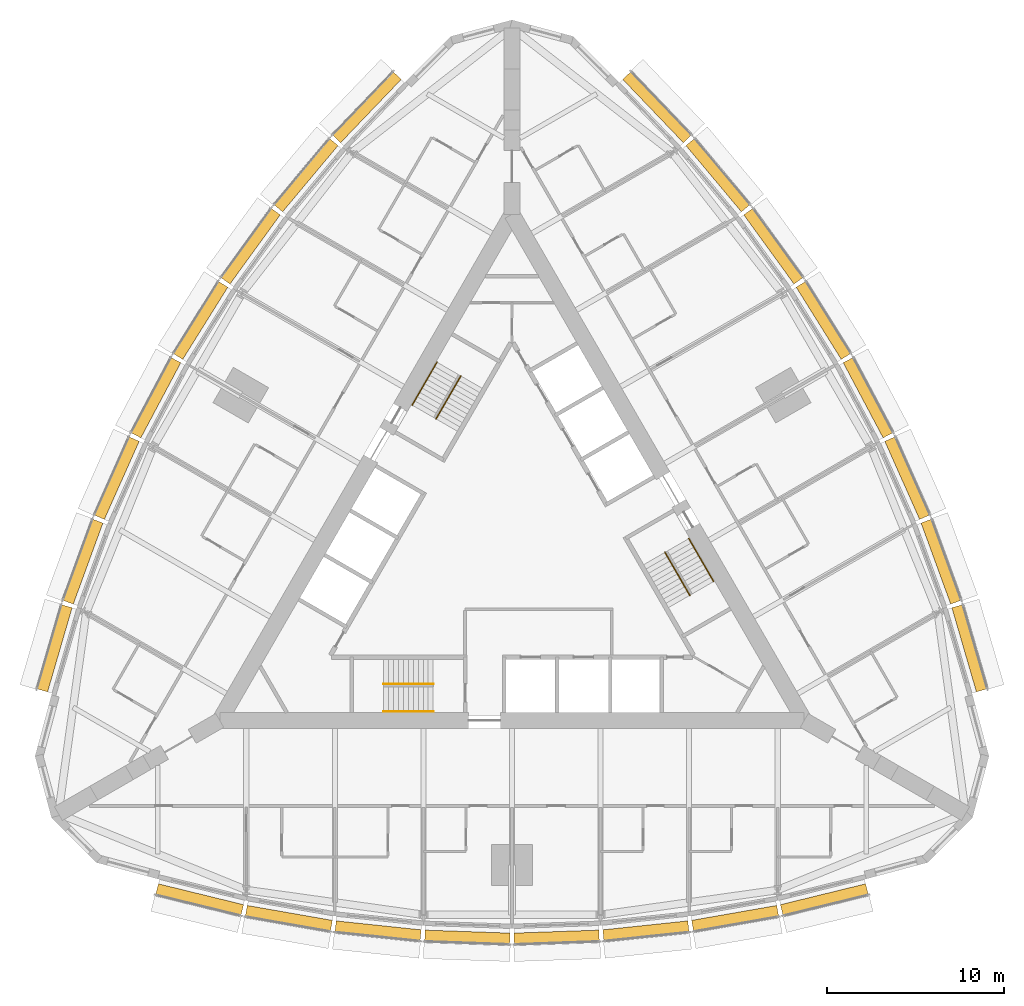
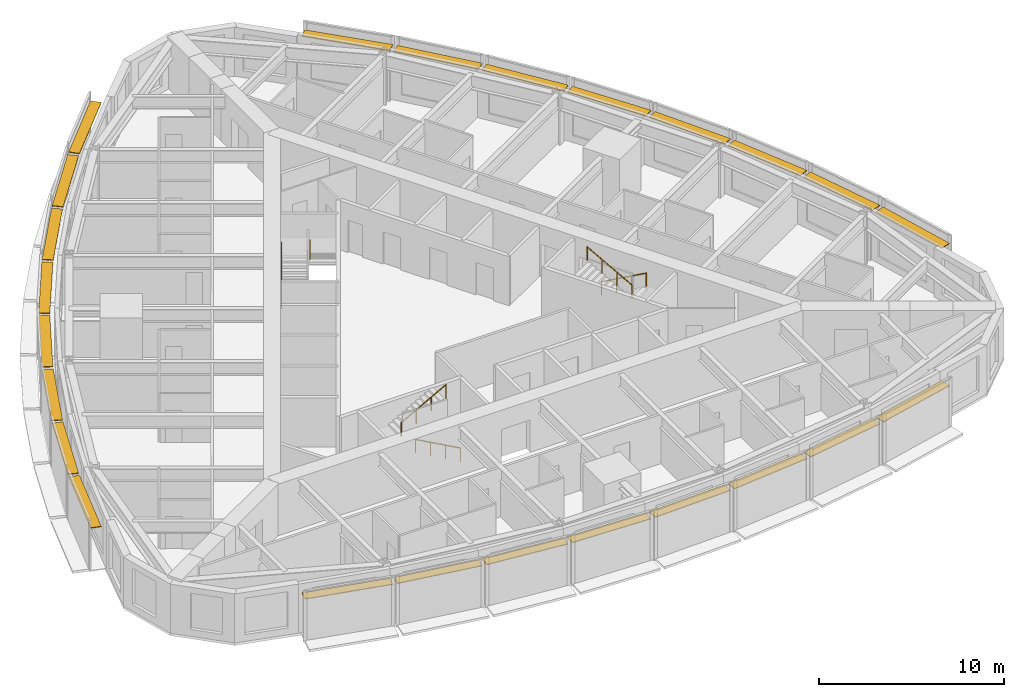
# One storey, part 14 of 14: 24 shading devices, 6 railings.
"""IFC4 building model written with IfcOpenShell, lengths in metres."""

from ifc_helpers import new_model, si_unit, direction, frame, origin, origin_2d, place, context, subcontext, project, spatial, rectangle, circle, extrude, material, type_object, element, save


model = new_model("IFC4")

# Units and contexts
model_context = context("Model", 3, precision=1e-05, world=origin(), true_north=direction((0.0, 1.0)))
body_context = subcontext(model_context, "Body", "Model", "MODEL_VIEW")
ifc_project = project(units=[si_unit("LENGTHUNIT", "METRE"), si_unit("AREAUNIT", "SQUARE_METRE"), si_unit("VOLUMEUNIT", "CUBIC_METRE"), si_unit("PLANEANGLEUNIT", "RADIAN"), si_unit("MASSUNIT", "GRAM", prefix="KILO")], contexts=[model_context])

# Site, building, storey
site_placement = place(None, origin())
site = spatial("IfcSite", under=ifc_project, at=site_placement, CompositionType="ELEMENT")
building_placement = place(site_placement, origin())
building = spatial("IfcBuilding", under=site, at=building_placement, Name="Trikona Tower", CompositionType="ELEMENT")
storey_placement = place(building_placement, frame((0.0, 0.0, 148.699951171875)))
storey = spatial("IfcBuildingStorey", under=building, at=storey_placement, Name="L39", CompositionType="ELEMENT", Elevation=148.699951171875)

# Shading devices
ifc_material_1 = material(Name="Aluminium louvre blade, pale anodised", Category="aluminium")
shading_device_type = type_object("IfcShadingDeviceType", Name="Cavity louvre 600", PredefinedType="USERDEFINED", material=ifc_material_1)
shading_device_1_placement = place(storey_placement, frame((-17.63330078125, -19.631591796875, 2.77490234375), z_axis=(0.0, 0.0, 1.0), x_axis=(0.971274411564, -0.237962218516, 0.0)))
element("IfcShadingDevice", 1, at=shading_device_1_placement, inside=storey, type_object=shading_device_type, Name="Cavity louvre L39-00", ObjectType="LOUVRE", PredefinedType="USERDEFINED", context=body_context, shape_type="SweptSolid", body=[
    extrude(rectangle(XDim=4.947998046875, YDim=0.60009765625, at=origin_2d()), origin(), (0.0, 0.0, 1.0), 0.050048828125),
])
shading_device_2_placement = place(storey_placement, frame((-12.596435546875, -20.689208984375, 2.77490234375), z_axis=(0.0, 0.0, 1.0), x_axis=(0.985030604067, -0.172379549401, 0.0)))
element("IfcShadingDevice", 2, at=shading_device_2_placement, inside=storey, type_object=shading_device_type, Name="Cavity louvre L39-01", ObjectType="LOUVRE", PredefinedType="USERDEFINED", context=body_context, shape_type="SweptSolid", body=[
    extrude(rectangle(XDim=4.8759765625, YDim=0.60009765625, at=origin_2d()), origin(), (0.0, 0.0, 1.0), 0.050048828125),
])
shading_device_3_placement = place(storey_placement, frame((-7.55859375, -21.39453125, 2.77490234375), z_axis=(0.0, 0.0, 1.0), x_axis=(0.994532653854, -0.104426052392, 0.0)))
element("IfcShadingDevice", 3, at=shading_device_3_placement, inside=storey, type_object=shading_device_type, Name="Cavity louvre L39-02", ObjectType="LOUVRE", PredefinedType="USERDEFINED", context=body_context, shape_type="SweptSolid", body=[
    extrude(rectangle(XDim=4.827392578125, YDim=0.60009765625, at=origin_2d()), origin(), (0.0, 0.0, 1.0), 0.050048828125),
])
for number, where, z_axis, x_axis, name in (
    (4, (-2.51953125, -21.747314453125, 2.77490234375), (0.0, 0.0, 1.0), (0.999388082937, -0.034977988567, 0.0), "Cavity louvre L39-03"),
    (5, (2.51953125, -21.747314453125, 2.77490234375), (0.0, 0.0, 1.0), (0.999388082937, 0.034977988567, 0.0), "Cavity louvre L39-04"),
):
    element("IfcShadingDevice", number, at=place(storey_placement, frame(where, z_axis=z_axis, x_axis=x_axis)), inside=storey, type_object=shading_device_type, Name=name, ObjectType="LOUVRE", PredefinedType="USERDEFINED", context=body_context, shape_type="SweptSolid", body=[
        extrude(rectangle(XDim=4.802978515625, YDim=0.60009765625, at=origin_2d()), origin(), (0.0, 0.0, 1.0), 0.050048828125),
    ])
shading_device_4_placement = place(storey_placement, frame((7.55859375, -21.39453125, 2.77490234375), z_axis=(0.0, 0.0, 1.0), x_axis=(0.994532653854, 0.104426052392, 0.0)))
element("IfcShadingDevice", 6, at=shading_device_4_placement, inside=storey, type_object=shading_device_type, Name="Cavity louvre L39-05", ObjectType="LOUVRE", PredefinedType="USERDEFINED", context=body_context, shape_type="SweptSolid", body=[
    extrude(rectangle(XDim=4.827392578125, YDim=0.60009765625, at=origin_2d()), origin(), (0.0, 0.0, 1.0), 0.050048828125),
])
shading_device_5_placement = place(storey_placement, frame((12.596435546875, -20.689208984375, 2.77490234375), z_axis=(0.0, 0.0, 1.0), x_axis=(0.985030604067, 0.172379549401, 0.0)))
element("IfcShadingDevice", 7, at=shading_device_5_placement, inside=storey, type_object=shading_device_type, Name="Cavity louvre L39-06", ObjectType="LOUVRE", PredefinedType="USERDEFINED", context=body_context, shape_type="SweptSolid", body=[
    extrude(rectangle(XDim=4.8759765625, YDim=0.60009765625, at=origin_2d()), origin(), (0.0, 0.0, 1.0), 0.050048828125),
])
shading_device_6_placement = place(storey_placement, frame((17.63330078125, -19.631591796875, 2.77490234375), z_axis=(0.0, 0.0, 1.0), x_axis=(0.971274411564, 0.237962218516, 0.0)))
element("IfcShadingDevice", 8, at=shading_device_6_placement, inside=storey, type_object=shading_device_type, Name="Cavity louvre L39-07", ObjectType="LOUVRE", PredefinedType="USERDEFINED", context=body_context, shape_type="SweptSolid", body=[
    extrude(rectangle(XDim=4.947998046875, YDim=0.60009765625, at=origin_2d()), origin(), (0.0, 0.0, 1.0), 0.050048828125),
])
shading_device_7_placement = place(storey_placement, frame((25.818115234375, -5.455078125, 2.77490234375), z_axis=(0.0, 0.0, 1.0), x_axis=(-0.279554203664, 0.960129911634, 0.0)))
element("IfcShadingDevice", 9, at=shading_device_7_placement, inside=storey, type_object=shading_device_type, Name="Cavity louvre L39-12", ObjectType="LOUVRE", PredefinedType="USERDEFINED", context=body_context, shape_type="SweptSolid", body=[
    extrude(rectangle(XDim=4.94775390625, YDim=0.60009765625, at=origin_2d()), origin(), (0.0, 0.0, 1.0), 0.050048828125),
])
shading_device_8_placement = place(storey_placement, frame((24.2158203125, -0.564208984375, 2.77490234375), z_axis=(0.0, 0.0, 1.0), x_axis=(-0.343220397324, 0.939254895575, 0.0)))
element("IfcShadingDevice", 10, at=shading_device_8_placement, inside=storey, type_object=shading_device_type, Name="Cavity louvre L39-13", ObjectType="LOUVRE", PredefinedType="USERDEFINED", context=body_context, shape_type="SweptSolid", body=[
    extrude(rectangle(XDim=4.8759765625, YDim=0.60009765625, at=origin_2d()), origin(), (0.0, 0.0, 1.0), 0.050048828125),
])
shading_device_9_placement = place(storey_placement, frame((22.3076171875, 4.151611328125, 2.77490234375), z_axis=(0.0, 0.0, 1.0), x_axis=(-0.406843467615, 0.913497888809, 0.0)))
element("IfcShadingDevice", 11, at=shading_device_9_placement, inside=storey, type_object=shading_device_type, Name="Cavity louvre L39-14", ObjectType="LOUVRE", PredefinedType="USERDEFINED", context=body_context, shape_type="SweptSolid", body=[
    extrude(rectangle(XDim=4.827392578125, YDim=0.60009765625, at=origin_2d()), origin(), (0.0, 0.0, 1.0), 0.050048828125),
])
for number, where, z_axis, x_axis, name in (
    (12, (20.093505859375, 8.691650390625, 2.77490234375), (0.0, 0.0, 1.0), (-0.469397591494, 0.882986920118, 0.0), "Cavity louvre L39-15"),
    (13, (17.573974609375, 13.0556640625, 2.77490234375), (0.0, 0.0, 1.0), (-0.529994748414, 0.848000923734, 0.0), "Cavity louvre L39-16"),
):
    element("IfcShadingDevice", number, at=place(storey_placement, frame(where, z_axis=z_axis, x_axis=x_axis)), inside=storey, type_object=shading_device_type, Name=name, ObjectType="LOUVRE", PredefinedType="USERDEFINED", context=body_context, shape_type="SweptSolid", body=[
        extrude(rectangle(XDim=4.802978515625, YDim=0.60009765625, at=origin_2d()), origin(), (0.0, 0.0, 1.0), 0.050048828125),
    ])
shading_device_10_placement = place(storey_placement, frame((14.7490234375, 17.2431640625, 2.77490234375), z_axis=(0.0, 0.0, 1.0), x_axis=(-0.587686407834, 0.809088799853, 0.0)))
element("IfcShadingDevice", 14, at=shading_device_10_placement, inside=storey, type_object=shading_device_type, Name="Cavity louvre L39-17", ObjectType="LOUVRE", PredefinedType="USERDEFINED", context=body_context, shape_type="SweptSolid", body=[
    extrude(rectangle(XDim=4.827392578125, YDim=0.60009765625, at=origin_2d()), origin(), (0.0, 0.0, 1.0), 0.050048828125),
])
shading_device_11_placement = place(storey_placement, frame((11.619140625, 21.253662109375, 2.77490234375), z_axis=(0.0, 0.0, 1.0), x_axis=(-0.641807063101, 0.766866151133, 0.0)))
element("IfcShadingDevice", 15, at=shading_device_11_placement, inside=storey, type_object=shading_device_type, Name="Cavity louvre L39-18", ObjectType="LOUVRE", PredefinedType="USERDEFINED", context=body_context, shape_type="SweptSolid", body=[
    extrude(rectangle(XDim=4.8759765625, YDim=0.60009765625, at=origin_2d()), origin(), (0.0, 0.0, 1.0), 0.050048828125),
])
for number, where, z_axis, x_axis, name in (
    (16, (8.184814453125, 25.086669921875, 2.77490234375), (0.0, 0.0, 1.0), (-0.691723573819, 0.722162376078, 0.0), "Cavity louvre L39-19"),
    (17, (-8.184814453125, 25.086669921875, 2.77490234375), (0.0, 0.0, 1.0), (-0.691723573819, -0.722162376078, 0.0), "Cavity louvre L39-24"),
):
    element("IfcShadingDevice", number, at=place(storey_placement, frame(where, z_axis=z_axis, x_axis=x_axis)), inside=storey, type_object=shading_device_type, Name=name, ObjectType="LOUVRE", PredefinedType="USERDEFINED", context=body_context, shape_type="SweptSolid", body=[
        extrude(rectangle(XDim=4.947998046875, YDim=0.60009765625, at=origin_2d()), origin(), (0.0, 0.0, 1.0), 0.050048828125),
    ])
shading_device_12_placement = place(storey_placement, frame((-11.619140625, 21.253662109375, 2.77490234375), z_axis=(0.0, 0.0, 1.0), x_axis=(-0.641807063101, -0.766866151133, 0.0)))
element("IfcShadingDevice", 18, at=shading_device_12_placement, inside=storey, type_object=shading_device_type, Name="Cavity louvre L39-25", ObjectType="LOUVRE", PredefinedType="USERDEFINED", context=body_context, shape_type="SweptSolid", body=[
    extrude(rectangle(XDim=4.8759765625, YDim=0.60009765625, at=origin_2d()), origin(), (0.0, 0.0, 1.0), 0.050048828125),
])
shading_device_13_placement = place(storey_placement, frame((-14.7490234375, 17.2431640625, 2.77490234375), z_axis=(0.0, 0.0, 1.0), x_axis=(-0.587686407834, -0.809088799853, 0.0)))
element("IfcShadingDevice", 19, at=shading_device_13_placement, inside=storey, type_object=shading_device_type, Name="Cavity louvre L39-26", ObjectType="LOUVRE", PredefinedType="USERDEFINED", context=body_context, shape_type="SweptSolid", body=[
    extrude(rectangle(XDim=4.827392578125, YDim=0.60009765625, at=origin_2d()), origin(), (0.0, 0.0, 1.0), 0.050048828125),
])
for number, where, z_axis, x_axis, name in (
    (20, (-17.573974609375, 13.0556640625, 2.77490234375), (0.0, 0.0, 1.0), (-0.529994748414, -0.848000923734, 0.0), "Cavity louvre L39-27"),
    (21, (-20.093505859375, 8.691650390625, 2.77490234375), (0.0, 0.0, 1.0), (-0.469397591494, -0.882986920118, 0.0), "Cavity louvre L39-28"),
):
    element("IfcShadingDevice", number, at=place(storey_placement, frame(where, z_axis=z_axis, x_axis=x_axis)), inside=storey, type_object=shading_device_type, Name=name, ObjectType="LOUVRE", PredefinedType="USERDEFINED", context=body_context, shape_type="SweptSolid", body=[
        extrude(rectangle(XDim=4.802978515625, YDim=0.60009765625, at=origin_2d()), origin(), (0.0, 0.0, 1.0), 0.050048828125),
    ])
shading_device_14_placement = place(storey_placement, frame((-22.3076171875, 4.151611328125, 2.77490234375), z_axis=(0.0, 0.0, 1.0), x_axis=(-0.406843467615, -0.913497888809, 0.0)))
element("IfcShadingDevice", 22, at=shading_device_14_placement, inside=storey, type_object=shading_device_type, Name="Cavity louvre L39-29", ObjectType="LOUVRE", PredefinedType="USERDEFINED", context=body_context, shape_type="SweptSolid", body=[
    extrude(rectangle(XDim=4.827392578125, YDim=0.60009765625, at=origin_2d()), origin(), (0.0, 0.0, 1.0), 0.050048828125),
])
shading_device_15_placement = place(storey_placement, frame((-24.2158203125, -0.564208984375, 2.77490234375), z_axis=(0.0, 0.0, 1.0), x_axis=(-0.343220397324, -0.939254895575, 0.0)))
element("IfcShadingDevice", 23, at=shading_device_15_placement, inside=storey, type_object=shading_device_type, Name="Cavity louvre L39-30", ObjectType="LOUVRE", PredefinedType="USERDEFINED", context=body_context, shape_type="SweptSolid", body=[
    extrude(rectangle(XDim=4.8759765625, YDim=0.60009765625, at=origin_2d()), origin(), (0.0, 0.0, 1.0), 0.050048828125),
])
shading_device_16_placement = place(storey_placement, frame((-25.818115234375, -5.455078125, 2.77490234375), z_axis=(0.0, 0.0, 1.0), x_axis=(-0.279554203664, -0.960129911634, 0.0)))
element("IfcShadingDevice", 24, at=shading_device_16_placement, inside=storey, type_object=shading_device_type, Name="Cavity louvre L39-31", ObjectType="LOUVRE", PredefinedType="USERDEFINED", context=body_context, shape_type="SweptSolid", body=[
    extrude(rectangle(XDim=4.94775390625, YDim=0.60009765625, at=origin_2d()), origin(), (0.0, 0.0, 1.0), 0.050048828125),
])

# Railings
ifc_material_2 = material(Name="Stainless steel handrail", Category="steel")
railing_type = type_object("IfcRailingType", Name="Stair handrail", PredefinedType="HANDRAIL", material=ifc_material_2)
railing_1_placement = place(storey_placement, frame((-4.449951171875, -9.016357421875, 0.154541015625)))
element("IfcRailing", 25, at=railing_1_placement, inside=storey, type_object=railing_type, Name="Stair handrail A L39 1", PredefinedType="HANDRAIL", context=body_context, shape_type="SweptSolid", body=[
    extrude(circle(Radius=0.02392578125, at=origin_2d()), frame((0.0, 0.0, 0.8759765625), z_axis=(-0.875504190374, 0.0, 0.483210526207), x_axis=(0.0, -1.0, 0.0)), (0.0, 0.0, 1.0), 3.1982421875),
    extrude(circle(Radius=0.02099609375, at=origin_2d()), origin(), (0.0, 0.0, 1.0), 0.851806640625),
    extrude(circle(Radius=0.02099609375, at=origin_2d()), frame((-0.933349609375, 0.0, 0.51513671875)), (0.0, 0.0, 1.0), 0.851806640625),
    extrude(circle(Radius=0.02099609375, at=origin_2d()), frame((-1.86669921875, 0.0, 1.0302734375)), (0.0, 0.0, 1.0), 0.851806640625),
    extrude(circle(Radius=0.02099609375, at=origin_2d()), frame((-2.800048828125, 0.0, 1.54541015625)), (0.0, 0.0, 1.0), 0.851806640625),
])
railing_2_placement = place(storey_placement, frame((-7.25, -7.46630859375, 1.8544921875)))
element("IfcRailing", 26, at=railing_2_placement, inside=storey, type_object=railing_type, Name="Stair handrail A L39 2", PredefinedType="HANDRAIL", context=body_context, shape_type="SweptSolid", body=[
    extrude(circle(Radius=0.02392578125, at=origin_2d()), frame((0.0, 0.0, 0.8759765625), z_axis=(0.875471895205, 0.0, 0.483269035534), x_axis=(0.0, 1.0, 0.0)), (0.0, 0.0, 1.0), 3.1982421875),
    extrude(circle(Radius=0.02099609375, at=origin_2d()), origin(), (0.0, 0.0, 1.0), 0.851806640625),
    extrude(circle(Radius=0.02099609375, at=origin_2d()), frame((0.933349609375, 0.0, 0.51513671875)), (0.0, 0.0, 1.0), 0.851806640625),
    extrude(circle(Radius=0.02099609375, at=origin_2d()), frame((1.86669921875, 0.0, 1.030517578125)), (0.0, 0.0, 1.0), 0.851806640625),
    extrude(circle(Radius=0.02099609375, at=origin_2d()), frame((2.800048828125, 0.0, 1.545654296875)), (0.0, 0.0, 1.0), 0.851806640625),
])
railing_3_placement = place(storey_placement, frame((9.9833984375, 0.740966796875, 0.154541015625)))
element("IfcRailing", 27, at=railing_3_placement, inside=storey, type_object=railing_type, Name="Stair handrail B L39 1", PredefinedType="HANDRAIL", context=body_context, shape_type="SweptSolid", body=[
    extrude(circle(Radius=0.02392578125, at=origin_2d()), frame((0.0, 0.0, 0.8759765625), z_axis=(0.437707188162, -0.758239536103, 0.483203087036), x_axis=(0.866056369097, 0.49994636267, 0.0)), (0.0, 0.0, 1.0), 3.1982421875),
    extrude(circle(Radius=0.02099609375, at=origin_2d()), origin(), (0.0, 0.0, 1.0), 0.851806640625),
    extrude(circle(Radius=0.02099609375, at=origin_2d()), frame((0.466552734375, -0.808349609375, 0.51513671875)), (0.0, 0.0, 1.0), 0.851806640625),
    extrude(circle(Radius=0.02099609375, at=origin_2d()), frame((0.933349609375, -1.61669921875, 1.0302734375)), (0.0, 0.0, 1.0), 0.851806640625),
    extrude(circle(Radius=0.02099609375, at=origin_2d()), frame((1.39990234375, -2.425048828125, 1.54541015625)), (0.0, 0.0, 1.0), 0.851806640625),
])
railing_4_placement = place(storey_placement, frame((10.041015625, -2.458984375, 1.8544921875)))
element("IfcRailing", 28, at=railing_4_placement, inside=storey, type_object=railing_type, Name="Stair handrail B L39 2", PredefinedType="HANDRAIL", context=body_context, shape_type="SweptSolid", body=[
    extrude(circle(Radius=0.02392578125, at=origin_2d()), frame((0.0, 0.0, 0.8759765625), z_axis=(-0.437691042731, 0.758211567396, 0.483261596012), x_axis=(-0.866056369097, -0.49994636267, 0.0)), (0.0, 0.0, 1.0), 3.198486328125),
    extrude(circle(Radius=0.02099609375, at=origin_2d()), origin(), (0.0, 0.0, 1.0), 0.851806640625),
    extrude(circle(Radius=0.02099609375, at=origin_2d()), frame((-0.466552734375, 0.808349609375, 0.51513671875)), (0.0, 0.0, 1.0), 0.851806640625),
    extrude(circle(Radius=0.02099609375, at=origin_2d()), frame((-0.933349609375, 1.61669921875, 1.030517578125)), (0.0, 0.0, 1.0), 0.851806640625),
    extrude(circle(Radius=0.02099609375, at=origin_2d()), frame((-1.39990234375, 2.425048828125, 1.545654296875)), (0.0, 0.0, 1.0), 0.851806640625),
])
railing_5_placement = place(storey_placement, frame((-5.63330078125, 8.275390625, 0.154541015625)))
element("IfcRailing", 29, at=railing_5_placement, inside=storey, type_object=railing_type, Name="Stair handrail C L39 1", PredefinedType="HANDRAIL", context=body_context, shape_type="SweptSolid", body=[
    extrude(circle(Radius=0.02392578125, at=origin_2d()), frame((0.0, 0.0, 0.8759765625), z_axis=(0.437732523806, 0.758207085183, 0.483231056102), x_axis=(-0.866034573852, 0.49998411664, 0.0)), (0.0, 0.0, 1.0), 3.197998046875),
    extrude(circle(Radius=0.02099609375, at=origin_2d()), origin(), (0.0, 0.0, 1.0), 0.851806640625),
    extrude(circle(Radius=0.02099609375, at=origin_2d()), frame((0.466552734375, 0.808349609375, 0.51513671875)), (0.0, 0.0, 1.0), 0.851806640625),
    extrude(circle(Radius=0.02099609375, at=origin_2d()), frame((0.933349609375, 1.616455078125, 1.0302734375)), (0.0, 0.0, 1.0), 0.851806640625),
    extrude(circle(Radius=0.02099609375, at=origin_2d()), frame((1.39990234375, 2.4248046875, 1.54541015625)), (0.0, 0.0, 1.0), 0.851806640625),
])
railing_6_placement = place(storey_placement, frame((-2.89111328125, 9.92529296875, 1.8544921875)))
element("IfcRailing", 30, at=railing_6_placement, inside=storey, type_object=railing_type, Name="Stair handrail C L39 2", PredefinedType="HANDRAIL", context=body_context, shape_type="SweptSolid", body=[
    extrude(circle(Radius=0.02392578125, at=origin_2d()), frame((0.0, 0.0, 0.8759765625), z_axis=(-0.437691042731, -0.758211567396, 0.483261596012), x_axis=(0.866056369097, -0.49994636267, 0.0)), (0.0, 0.0, 1.0), 3.198486328125),
    extrude(circle(Radius=0.02099609375, at=origin_2d()), origin(), (0.0, 0.0, 1.0), 0.851806640625),
    extrude(circle(Radius=0.02099609375, at=origin_2d()), frame((-0.466552734375, -0.808349609375, 0.51513671875)), (0.0, 0.0, 1.0), 0.851806640625),
    extrude(circle(Radius=0.02099609375, at=origin_2d()), frame((-0.933349609375, -1.61669921875, 1.030517578125)), (0.0, 0.0, 1.0), 0.851806640625),
    extrude(circle(Radius=0.02099609375, at=origin_2d()), frame((-1.39990234375, -2.425048828125, 1.545654296875)), (0.0, 0.0, 1.0), 0.851806640625),
])

save(model, "model.ifc")
